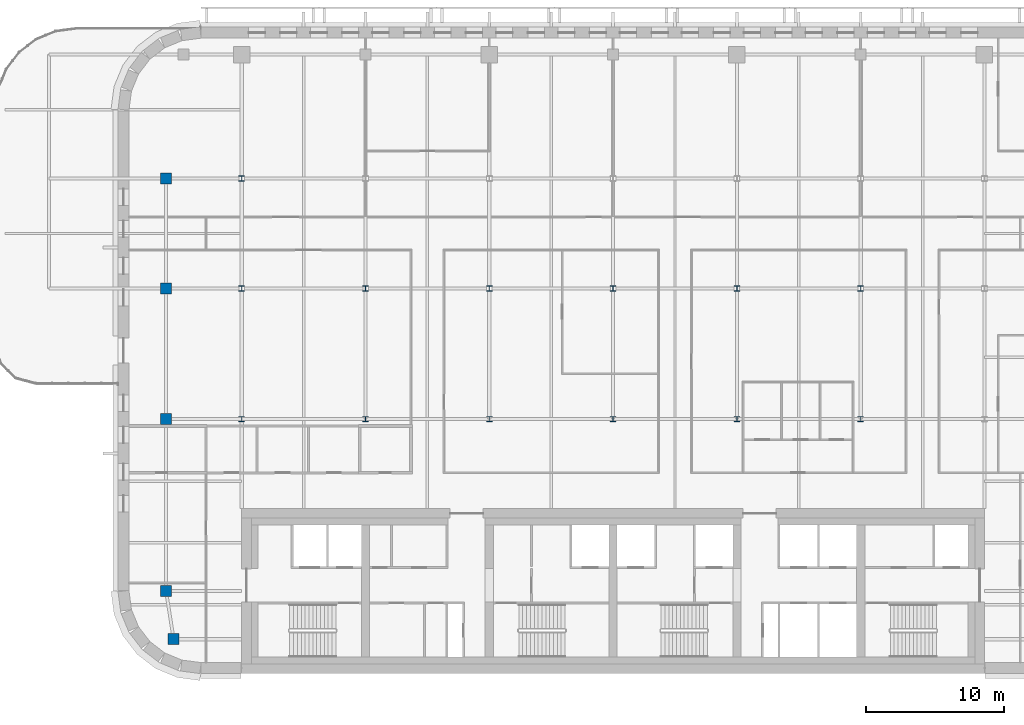
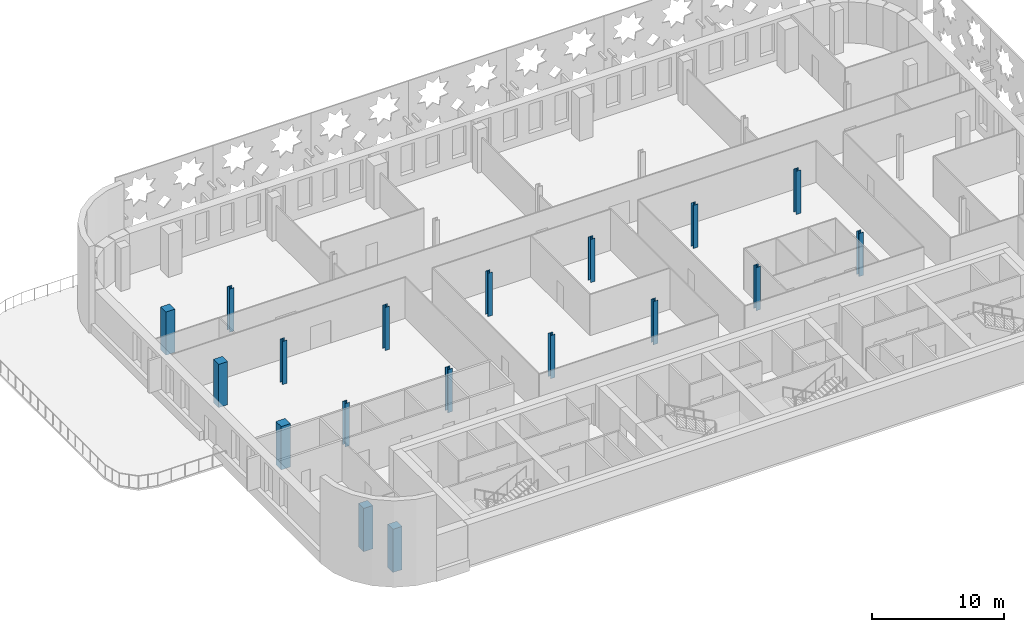
# One storey, part 1 of 17: 18 columns.
"""IFC4 building model written with IfcOpenShell, lengths in metres."""

from ifc_helpers import new_model, si_unit, direction, frame, origin, origin_2d, place, context, subcontext, project, spatial, rectangle, i_section, extrude, material, material_profile, profile_set, type_object, element, save


model = new_model("IFC4")

# Units and contexts
model_context = context("Model", 3, precision=1e-05, world=origin(), true_north=direction((0.0, 1.0)))
body_context = subcontext(model_context, "Body", "Model", "MODEL_VIEW")
ifc_project = project(units=[si_unit("LENGTHUNIT", "METRE"), si_unit("AREAUNIT", "SQUARE_METRE"), si_unit("VOLUMEUNIT", "CUBIC_METRE"), si_unit("PLANEANGLEUNIT", "RADIAN"), si_unit("MASSUNIT", "GRAM", prefix="KILO")], contexts=[model_context])

# Site, building, storey
site_placement = place(None, origin())
site = spatial("IfcSite", under=ifc_project, at=site_placement, CompositionType="ELEMENT")
building_placement = place(site_placement, origin())
building = spatial("IfcBuilding", under=site, at=building_placement, Name="Zellij Exchange Tower", CompositionType="ELEMENT")
storey_placement = place(building_placement, frame((0.0, 0.0, 256.5)))
storey = spatial("IfcBuildingStorey", under=building, at=storey_placement, Name="L60", CompositionType="ELEMENT", Elevation=256.5)

# Columns
ifc_material_1 = material(Name="Concrete C50/60", Category="concrete")
ifc_material_profile_1 = material_profile(ifc_material_1, rectangle(XDim=0.800048828125, YDim=0.800048828125, at=origin_2d()), Name="STR-COLUMN RC800x800 C50/60")
ifc_profile_set_1 = profile_set([ifc_material_profile_1], Name="Concrete C50/60")
column_type_1 = type_object("IfcColumnType", Name="STR-COLUMN RC800x800 C50/60", PredefinedType="COLUMN", material=ifc_profile_set_1)
for number, where, z_axis, x_axis, name in (
    (1, (-31.949951171875, -11.5, 0.0), (0.0, 0.0, 1.0), (1.0, 0.0, 0.0), "C15"),
    (2, (-32.5, -8.0, 0.0), (0.0, 0.0, 1.0), (1.0, 0.0, 0.0), "C15"),
    (3, (-32.5, 4.5, 0.0), (0.0, 0.0, 1.0), (1.0, 0.0, 0.0), "C15"),
    (4, (-32.5, 14.0, 0.0), (0.0, 0.0, 1.0), (1.0, 0.0, 0.0), "C15"),
    (5, (-32.5, 22.0, 0.0), (0.0, 0.0, 1.0), (1.0, 0.0, 0.0), "C15"),
):
    element("IfcColumn", number, at=place(storey_placement, frame(where, z_axis=z_axis, x_axis=x_axis)), inside=storey, type_object=column_type_1, Name=name, PredefinedType="COLUMN", context=body_context, shape_type="SweptSolid", body=[
        extrude(rectangle(XDim=0.800048828125, YDim=0.800048828125, at=origin_2d()), origin(), (0.0, 0.0, 1.0), 4.0),
    ])
ifc_material_2 = material(Name="Structural steel ASTM A992 Gr 50", Category="steel")
ifc_material_profile_2 = material_profile(ifc_material_2, i_section(OverallWidth=0.398681640625, OverallDepth=0.385986328125, WebThickness=0.02099609375, FlangeThickness=0.033203125, at=origin_2d()), Name="W14x176")
ifc_profile_set_2 = profile_set([ifc_material_profile_2], Name="Structural steel ASTM A992 Gr 50")
column_type_2 = type_object("IfcColumnType", Name="STR-COLUMN W14x176", PredefinedType="COLUMN", material=ifc_profile_set_2)
for number, where, z_axis, x_axis, name in (
    (6, (-27.0, 4.5, 0.0), (0.0, 0.0, 1.0), (1.0, 0.0, 0.0), "C2"),
    (7, (-18.0, 4.5, 0.0), (0.0, 0.0, 1.0), (1.0, 0.0, 0.0), "C2"),
    (8, (-9.0, 4.5, 0.0), (0.0, 0.0, 1.0), (1.0, 0.0, 0.0), "C2"),
    (9, (0.0, 4.5, 0.0), (0.0, 0.0, 1.0), (1.0, 0.0, 0.0), "C2"),
    (10, (9.0, 4.5, 0.0), (0.0, 0.0, 1.0), (1.0, 0.0, 0.0), "C2"),
    (11, (18.0, 4.5, 0.0), (0.0, 0.0, 1.0), (1.0, 0.0, 0.0), "C2"),
    (12, (-27.0, 14.0, 0.0), (0.0, 0.0, 1.0), (1.0, 0.0, 0.0), "C2"),
    (13, (-18.0, 14.0, 0.0), (0.0, 0.0, 1.0), (1.0, 0.0, 0.0), "C2"),
    (14, (-9.0, 14.0, 0.0), (0.0, 0.0, 1.0), (1.0, 0.0, 0.0), "C2"),
    (15, (0.0, 14.0, 0.0), (0.0, 0.0, 1.0), (1.0, 0.0, 0.0), "C2"),
    (16, (9.0, 14.0, 0.0), (0.0, 0.0, 1.0), (1.0, 0.0, 0.0), "C2"),
    (17, (18.0, 14.0, 0.0), (0.0, 0.0, 1.0), (1.0, 0.0, 0.0), "C2"),
    (18, (-27.0, 22.0, 0.0), (0.0, 0.0, 1.0), (1.0, 0.0, 0.0), "C2"),
):
    element("IfcColumn", number, at=place(storey_placement, frame(where, z_axis=z_axis, x_axis=x_axis)), inside=storey, type_object=column_type_2, Name=name, PredefinedType="COLUMN", context=body_context, shape_type="SweptSolid", body=[
        extrude(i_section(OverallWidth=0.398681640625, OverallDepth=0.385986328125, WebThickness=0.02099609375, FlangeThickness=0.033203125, at=origin_2d()), origin(), (0.0, 0.0, 1.0), 4.0),
    ])

save(model, "model.ifc")
